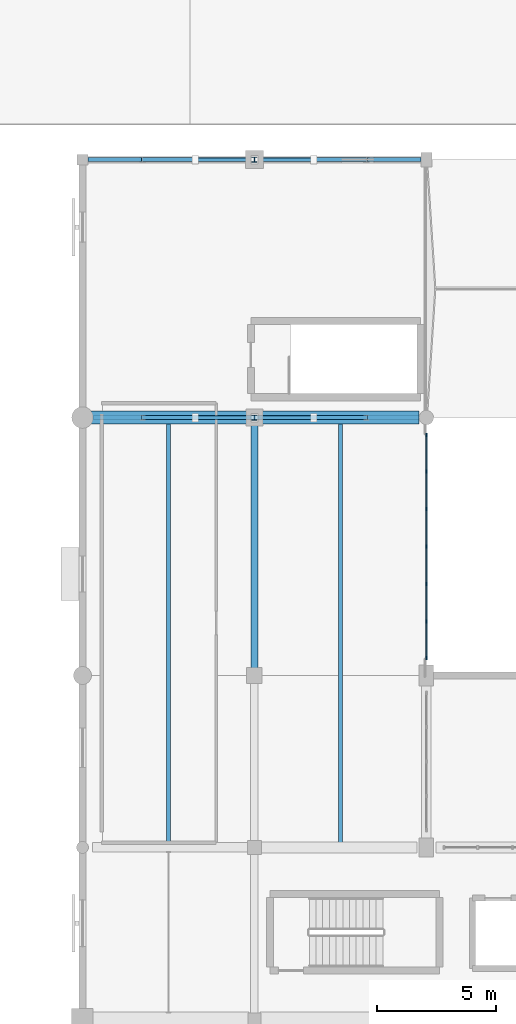
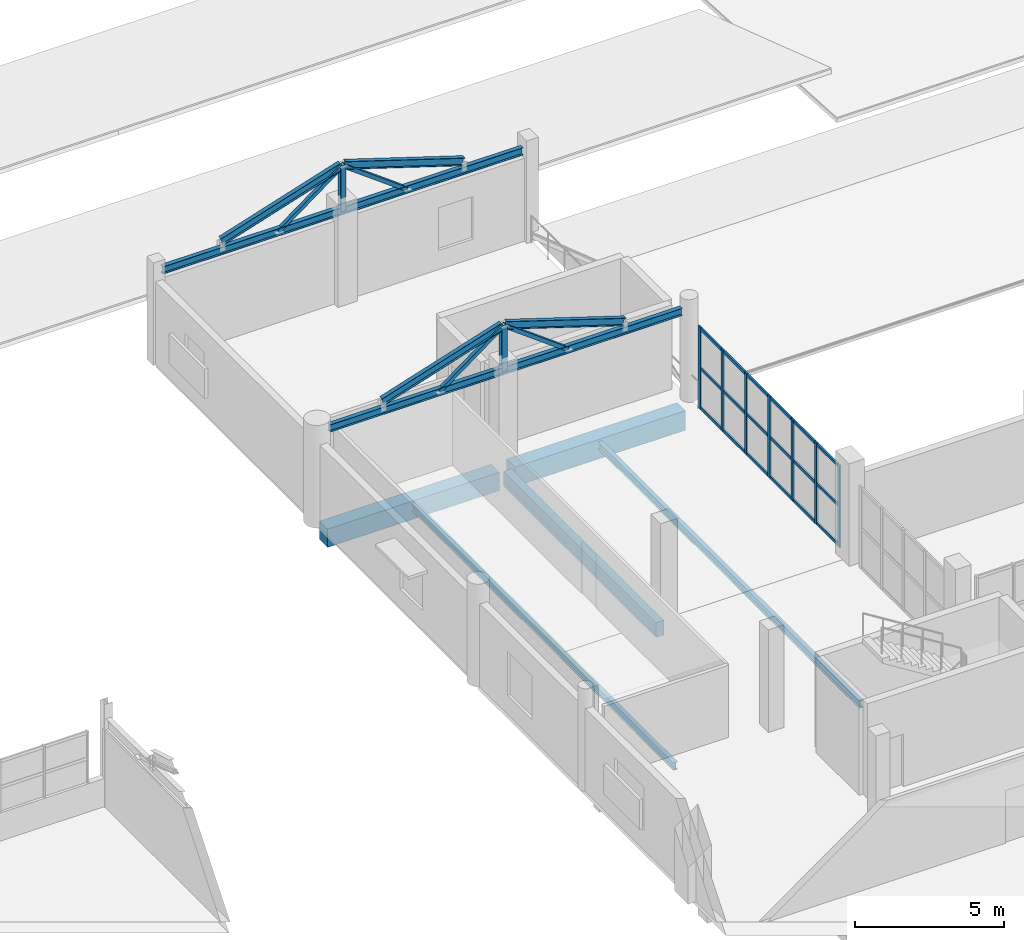
# One storey, part 27 of 90: 31 members, 11 beams, 1 element without a shape of its own.
"""IFC4 building model written with IfcOpenShell, lengths in metres."""

from ifc_helpers import new_model, si_unit, direction, frame, origin, origin_2d, place, context, subcontext, project, spatial, rectangle, hollow_rectangle, i_section, extrude, material, material_profile, profile_set, type_object, element, aggregate, save


model = new_model("IFC4")

# Units and contexts
model_context = context("Model", 3, precision=1e-05, world=origin(), true_north=direction((0.0, 1.0)))
body_context = subcontext(model_context, "Body", "Model", "MODEL_VIEW")
ifc_project = project(units=[si_unit("LENGTHUNIT", "METRE"), si_unit("AREAUNIT", "SQUARE_METRE"), si_unit("VOLUMEUNIT", "CUBIC_METRE"), si_unit("PLANEANGLEUNIT", "RADIAN"), si_unit("MASSUNIT", "GRAM", prefix="KILO")], contexts=[model_context])

# Site, building, storey
site_placement = place(None, origin())
site = spatial("IfcSite", under=ifc_project, at=site_placement, CompositionType="ELEMENT")
building_placement = place(site_placement, origin())
building = spatial("IfcBuilding", under=site, at=building_placement, Name="Solanera Park Tramway Depot", CompositionType="ELEMENT")
storey_placement = place(building_placement, frame((0.0, 0.0, 9.0)))
storey = spatial("IfcBuildingStorey", under=building, at=storey_placement, Name="L02", CompositionType="ELEMENT", Elevation=9.0)

# Curtain wall, members
ifc_material_1 = material(Name="Bronze-anodised thermally broken aluminium curtain wall", Category="aluminium")
curtain_wall_type = type_object("IfcCurtainWallType", Name="Courtyard Cloister Unitised Curtain Wall", PredefinedType="NOTDEFINED", material=ifc_material_1)
curtain_wall_placement = place(storey_placement, origin())
curtain_wall = element("IfcCurtainWall", 1, at=curtain_wall_placement, inside=storey, type_object=curtain_wall_type, Name="L02 Courtyard Cloister Unitised Curtain Wall #112", PredefinedType="NOTDEFINED")
ifc_material_2 = material(Name="Bronze-anodised structural aluminium 6063-T6", Category="aluminium")
ifc_material_profile_1 = material_profile(ifc_material_2, rectangle(XDim=0.06494140625, YDim=0.14990234375, at=origin_2d()), Name="Curtain Wall Mullion 65x150")
ifc_profile_set_1 = profile_set([ifc_material_profile_1], Name="Bronze-anodised structural aluminium 6063-T6")
member_type_1 = type_object("IfcMemberType", Name="Curtain Wall Mullion 65x150", PredefinedType="MULLION", material=ifc_profile_set_1)
member_1_placement = place(storey_placement, frame((122.39990234375, 33.132568359375, 0.0), z_axis=(0.0, 0.0, 1.0), x_axis=(1.0, 0.0, 0.0)))
member_1 = element("IfcMember", 2, at=member_1_placement, type_object=member_type_1, Name="CW-L02-112 Mullion 1", PredefinedType="MULLION", context=body_context, shape_type="SweptSolid", body=[
    extrude(rectangle(XDim=0.06494140625, YDim=0.14990234375, at=origin_2d()), origin(), (0.0, 0.0, 1.0), 3.35009765625),
])
member_2_placement = place(storey_placement, frame((122.39990234375, 34.666748046875, 0.0), z_axis=(0.0, 0.0, 1.0), x_axis=(1.0, 0.0, 0.0)))
member_2 = element("IfcMember", 3, at=member_2_placement, type_object=member_type_1, Name="CW-L02-112 Mullion 2", PredefinedType="MULLION", context=body_context, shape_type="SweptSolid", body=[
    extrude(rectangle(XDim=0.06494140625, YDim=0.14990234375, at=origin_2d()), origin(), (0.0, 0.0, 1.0), 3.35009765625),
])
member_3_placement = place(storey_placement, frame((122.39990234375, 36.2333984375, 0.0), z_axis=(0.0, 0.0, 1.0), x_axis=(1.0, 0.0, 0.0)))
member_3 = element("IfcMember", 4, at=member_3_placement, type_object=member_type_1, Name="CW-L02-112 Mullion 3", PredefinedType="MULLION", context=body_context, shape_type="SweptSolid", body=[
    extrude(rectangle(XDim=0.06494140625, YDim=0.14990234375, at=origin_2d()), origin(), (0.0, 0.0, 1.0), 3.35009765625),
])
member_4_placement = place(storey_placement, frame((122.39990234375, 37.800048828125, 0.0), z_axis=(0.0, 0.0, 1.0), x_axis=(1.0, 0.0, 0.0)))
member_4 = element("IfcMember", 5, at=member_4_placement, type_object=member_type_1, Name="CW-L02-112 Mullion 4", PredefinedType="MULLION", context=body_context, shape_type="SweptSolid", body=[
    extrude(rectangle(XDim=0.06494140625, YDim=0.14990234375, at=origin_2d()), origin(), (0.0, 0.0, 1.0), 3.35009765625),
])
member_5_placement = place(storey_placement, frame((122.39990234375, 39.36669921875, 0.0), z_axis=(0.0, 0.0, 1.0), x_axis=(1.0, 0.0, 0.0)))
member_5 = element("IfcMember", 6, at=member_5_placement, type_object=member_type_1, Name="CW-L02-112 Mullion 5", PredefinedType="MULLION", context=body_context, shape_type="SweptSolid", body=[
    extrude(rectangle(XDim=0.06494140625, YDim=0.14990234375, at=origin_2d()), origin(), (0.0, 0.0, 1.0), 3.35009765625),
])
member_6_placement = place(storey_placement, frame((122.39990234375, 40.933349609375, 0.0), z_axis=(0.0, 0.0, 1.0), x_axis=(1.0, 0.0, 0.0)))
member_6 = element("IfcMember", 7, at=member_6_placement, type_object=member_type_1, Name="CW-L02-112 Mullion 6", PredefinedType="MULLION", context=body_context, shape_type="SweptSolid", body=[
    extrude(rectangle(XDim=0.06494140625, YDim=0.14990234375, at=origin_2d()), origin(), (0.0, 0.0, 1.0), 3.35009765625),
])
member_7_placement = place(storey_placement, frame((122.39990234375, 42.467529296875, 0.0), z_axis=(0.0, 0.0, 1.0), x_axis=(1.0, 0.0, 0.0)))
member_7 = element("IfcMember", 8, at=member_7_placement, type_object=member_type_1, Name="CW-L02-112 Mullion 7", PredefinedType="MULLION", context=body_context, shape_type="SweptSolid", body=[
    extrude(rectangle(XDim=0.06494140625, YDim=0.14990234375, at=origin_2d()), origin(), (0.0, 0.0, 1.0), 3.35009765625),
])
ifc_material_3 = material(Name="Bronze-anodised structural aluminium 6063-T6", Category="aluminium")
ifc_material_profile_2 = material_profile(ifc_material_3, rectangle(XDim=0.06494140625, YDim=0.1201171875, at=origin_2d()), Name="Curtain Wall Transom 65x120")
ifc_profile_set_2 = profile_set([ifc_material_profile_2], Name="Bronze-anodised structural aluminium 6063-T6")
member_type_2 = type_object("IfcMemberType", Name="Curtain Wall Transom 65x120", PredefinedType="USERDEFINED", material=ifc_profile_set_2)
member_8_placement = place(storey_placement, frame((122.39990234375, 33.160400390625, 0.06005859375), z_axis=(0.0, 1.0, 0.0), x_axis=(-1.0, 0.0, 0.0)))
member_8 = element("IfcMember", 9, at=member_8_placement, type_object=member_type_2, Name="CW-L02-112 Transom R1.C1", ObjectType="TRANSOM", PredefinedType="USERDEFINED", context=body_context, shape_type="SweptSolid", body=[
    extrude(rectangle(XDim=0.06494140625, YDim=0.1201171875, at=origin_2d()), origin(), (0.0, 0.0, 1.0), 1.478271484375),
])
member_9_placement = place(storey_placement, frame((122.39990234375, 34.694580078125, 0.06005859375), z_axis=(0.0, 1.0, 0.0), x_axis=(-1.0, 0.0, 0.0)))
member_9 = element("IfcMember", 10, at=member_9_placement, type_object=member_type_2, Name="CW-L02-112 Transom R1.C2", ObjectType="TRANSOM", PredefinedType="USERDEFINED", context=body_context, shape_type="SweptSolid", body=[
    extrude(rectangle(XDim=0.06494140625, YDim=0.1201171875, at=origin_2d()), origin(), (0.0, 0.0, 1.0), 1.5107421875),
])
member_10_placement = place(storey_placement, frame((122.39990234375, 36.26123046875, 0.06005859375), z_axis=(0.0, 1.0, 0.0), x_axis=(-1.0, 0.0, 0.0)))
member_10 = element("IfcMember", 11, at=member_10_placement, type_object=member_type_2, Name="CW-L02-112 Transom R1.C3", ObjectType="TRANSOM", PredefinedType="USERDEFINED", context=body_context, shape_type="SweptSolid", body=[
    extrude(rectangle(XDim=0.06494140625, YDim=0.1201171875, at=origin_2d()), origin(), (0.0, 0.0, 1.0), 1.5107421875),
])
member_11_placement = place(storey_placement, frame((122.39990234375, 37.827880859375, 0.06005859375), z_axis=(0.0, 1.0, 0.0), x_axis=(-1.0, 0.0, 0.0)))
member_11 = element("IfcMember", 12, at=member_11_placement, type_object=member_type_2, Name="CW-L02-112 Transom R1.C4", ObjectType="TRANSOM", PredefinedType="USERDEFINED", context=body_context, shape_type="SweptSolid", body=[
    extrude(rectangle(XDim=0.06494140625, YDim=0.1201171875, at=origin_2d()), origin(), (0.0, 0.0, 1.0), 1.5107421875),
])
member_12_placement = place(storey_placement, frame((122.39990234375, 39.394775390625, 0.06005859375), z_axis=(0.0, 1.0, 0.0), x_axis=(-1.0, 0.0, 0.0)))
member_12 = element("IfcMember", 13, at=member_12_placement, type_object=member_type_2, Name="CW-L02-112 Transom R1.C5", ObjectType="TRANSOM", PredefinedType="USERDEFINED", context=body_context, shape_type="SweptSolid", body=[
    extrude(rectangle(XDim=0.06494140625, YDim=0.1201171875, at=origin_2d()), origin(), (0.0, 0.0, 1.0), 1.510498046875),
])
member_13_placement = place(storey_placement, frame((122.39990234375, 40.961181640625, 0.06005859375), z_axis=(0.0, 1.0, 0.0), x_axis=(-1.0, 0.0, 0.0)))
member_13 = element("IfcMember", 14, at=member_13_placement, type_object=member_type_2, Name="CW-L02-112 Transom R1.C6", ObjectType="TRANSOM", PredefinedType="USERDEFINED", context=body_context, shape_type="SweptSolid", body=[
    extrude(rectangle(XDim=0.06494140625, YDim=0.1201171875, at=origin_2d()), origin(), (0.0, 0.0, 1.0), 1.478271484375),
])
member_14_placement = place(storey_placement, frame((122.39990234375, 33.160400390625, 1.675048828125), z_axis=(0.0, 1.0, 0.0), x_axis=(-1.0, 0.0, 0.0)))
member_14 = element("IfcMember", 15, at=member_14_placement, type_object=member_type_2, Name="CW-L02-112 Transom R2.C1", ObjectType="TRANSOM", PredefinedType="USERDEFINED", context=body_context, shape_type="SweptSolid", body=[
    extrude(rectangle(XDim=0.06494140625, YDim=0.1201171875, at=origin_2d()), origin(), (0.0, 0.0, 1.0), 1.478271484375),
])
member_15_placement = place(storey_placement, frame((122.39990234375, 34.694580078125, 1.675048828125), z_axis=(0.0, 1.0, 0.0), x_axis=(-1.0, 0.0, 0.0)))
member_15 = element("IfcMember", 16, at=member_15_placement, type_object=member_type_2, Name="CW-L02-112 Transom R2.C2", ObjectType="TRANSOM", PredefinedType="USERDEFINED", context=body_context, shape_type="SweptSolid", body=[
    extrude(rectangle(XDim=0.06494140625, YDim=0.1201171875, at=origin_2d()), origin(), (0.0, 0.0, 1.0), 1.5107421875),
])
member_16_placement = place(storey_placement, frame((122.39990234375, 36.26123046875, 1.675048828125), z_axis=(0.0, 1.0, 0.0), x_axis=(-1.0, 0.0, 0.0)))
member_16 = element("IfcMember", 17, at=member_16_placement, type_object=member_type_2, Name="CW-L02-112 Transom R2.C3", ObjectType="TRANSOM", PredefinedType="USERDEFINED", context=body_context, shape_type="SweptSolid", body=[
    extrude(rectangle(XDim=0.06494140625, YDim=0.1201171875, at=origin_2d()), origin(), (0.0, 0.0, 1.0), 1.5107421875),
])
member_17_placement = place(storey_placement, frame((122.39990234375, 37.827880859375, 1.675048828125), z_axis=(0.0, 1.0, 0.0), x_axis=(-1.0, 0.0, 0.0)))
member_17 = element("IfcMember", 18, at=member_17_placement, type_object=member_type_2, Name="CW-L02-112 Transom R2.C4", ObjectType="TRANSOM", PredefinedType="USERDEFINED", context=body_context, shape_type="SweptSolid", body=[
    extrude(rectangle(XDim=0.06494140625, YDim=0.1201171875, at=origin_2d()), origin(), (0.0, 0.0, 1.0), 1.5107421875),
])
member_18_placement = place(storey_placement, frame((122.39990234375, 39.394775390625, 1.675048828125), z_axis=(0.0, 1.0, 0.0), x_axis=(-1.0, 0.0, 0.0)))
member_18 = element("IfcMember", 19, at=member_18_placement, type_object=member_type_2, Name="CW-L02-112 Transom R2.C5", ObjectType="TRANSOM", PredefinedType="USERDEFINED", context=body_context, shape_type="SweptSolid", body=[
    extrude(rectangle(XDim=0.06494140625, YDim=0.1201171875, at=origin_2d()), origin(), (0.0, 0.0, 1.0), 1.510498046875),
])
member_19_placement = place(storey_placement, frame((122.39990234375, 40.961181640625, 1.675048828125), z_axis=(0.0, 1.0, 0.0), x_axis=(-1.0, 0.0, 0.0)))
member_19 = element("IfcMember", 20, at=member_19_placement, type_object=member_type_2, Name="CW-L02-112 Transom R2.C6", ObjectType="TRANSOM", PredefinedType="USERDEFINED", context=body_context, shape_type="SweptSolid", body=[
    extrude(rectangle(XDim=0.06494140625, YDim=0.1201171875, at=origin_2d()), origin(), (0.0, 0.0, 1.0), 1.478271484375),
])
member_20_placement = place(storey_placement, frame((122.39990234375, 33.160400390625, 3.2900390625), z_axis=(0.0, 1.0, 0.0), x_axis=(-1.0, 0.0, 0.0)))
member_20 = element("IfcMember", 21, at=member_20_placement, type_object=member_type_2, Name="CW-L02-112 Transom R3.C1", ObjectType="TRANSOM", PredefinedType="USERDEFINED", context=body_context, shape_type="SweptSolid", body=[
    extrude(rectangle(XDim=0.06494140625, YDim=0.1201171875, at=origin_2d()), origin(), (0.0, 0.0, 1.0), 1.478271484375),
])
member_21_placement = place(storey_placement, frame((122.39990234375, 34.694580078125, 3.2900390625), z_axis=(0.0, 1.0, 0.0), x_axis=(-1.0, 0.0, 0.0)))
member_21 = element("IfcMember", 22, at=member_21_placement, type_object=member_type_2, Name="CW-L02-112 Transom R3.C2", ObjectType="TRANSOM", PredefinedType="USERDEFINED", context=body_context, shape_type="SweptSolid", body=[
    extrude(rectangle(XDim=0.06494140625, YDim=0.1201171875, at=origin_2d()), origin(), (0.0, 0.0, 1.0), 1.5107421875),
])
member_22_placement = place(storey_placement, frame((122.39990234375, 36.26123046875, 3.2900390625), z_axis=(0.0, 1.0, 0.0), x_axis=(-1.0, 0.0, 0.0)))
member_22 = element("IfcMember", 23, at=member_22_placement, type_object=member_type_2, Name="CW-L02-112 Transom R3.C3", ObjectType="TRANSOM", PredefinedType="USERDEFINED", context=body_context, shape_type="SweptSolid", body=[
    extrude(rectangle(XDim=0.06494140625, YDim=0.1201171875, at=origin_2d()), origin(), (0.0, 0.0, 1.0), 1.5107421875),
])
member_23_placement = place(storey_placement, frame((122.39990234375, 37.827880859375, 3.2900390625), z_axis=(0.0, 1.0, 0.0), x_axis=(-1.0, 0.0, 0.0)))
member_23 = element("IfcMember", 24, at=member_23_placement, type_object=member_type_2, Name="CW-L02-112 Transom R3.C4", ObjectType="TRANSOM", PredefinedType="USERDEFINED", context=body_context, shape_type="SweptSolid", body=[
    extrude(rectangle(XDim=0.06494140625, YDim=0.1201171875, at=origin_2d()), origin(), (0.0, 0.0, 1.0), 1.5107421875),
])
member_24_placement = place(storey_placement, frame((122.39990234375, 39.394775390625, 3.2900390625), z_axis=(0.0, 1.0, 0.0), x_axis=(-1.0, 0.0, 0.0)))
member_24 = element("IfcMember", 25, at=member_24_placement, type_object=member_type_2, Name="CW-L02-112 Transom R3.C5", ObjectType="TRANSOM", PredefinedType="USERDEFINED", context=body_context, shape_type="SweptSolid", body=[
    extrude(rectangle(XDim=0.06494140625, YDim=0.1201171875, at=origin_2d()), origin(), (0.0, 0.0, 1.0), 1.510498046875),
])
member_25_placement = place(storey_placement, frame((122.39990234375, 40.961181640625, 3.2900390625), z_axis=(0.0, 1.0, 0.0), x_axis=(-1.0, 0.0, 0.0)))
member_25 = element("IfcMember", 26, at=member_25_placement, type_object=member_type_2, Name="CW-L02-112 Transom R3.C6", ObjectType="TRANSOM", PredefinedType="USERDEFINED", context=body_context, shape_type="SweptSolid", body=[
    extrude(rectangle(XDim=0.06494140625, YDim=0.1201171875, at=origin_2d()), origin(), (0.0, 0.0, 1.0), 1.478271484375),
])
aggregate(curtain_wall, [member_1, member_2, member_3, member_4, member_5, member_6, member_7, member_8, member_9, member_10, member_11, member_12, member_13, member_14, member_15, member_16, member_17, member_18, member_19, member_20, member_21, member_22, member_23, member_24, member_25])

# Beams
ifc_material_4 = material(Name="Concrete N40 (C40/50)", Category="concrete")
ifc_material_profile_3 = material_profile(ifc_material_4, rectangle(XDim=0.300048828125, YDim=0.60009765625, at=origin_2d()), Name="RCB 300x600")
ifc_profile_set_3 = profile_set([ifc_material_profile_3], Name="Concrete N40 (C40/50)")
beam_type_1 = type_object("IfcBeamType", Name="RC Floor Beam RCB 300x600", PredefinedType="BEAM", material=ifc_profile_set_3)
beam_1_placement = place(storey_placement, frame((115.199951171875, 32.675048828125, -0.5791015625), z_axis=(0.0, 1.0, 0.0), x_axis=(-1.0, 0.0, 0.0)))
element("IfcBeam", 27, at=beam_1_placement, inside=storey, type_object=beam_type_1, Name="L02 Primary Y-Girder RCB 300x600 #0144", PredefinedType="BEAM", context=body_context, shape_type="SweptSolid", body=[
    extrude(rectangle(XDim=0.300048828125, YDim=0.60009765625, at=origin_2d()), origin(), (0.0, 0.0, 1.0), 10.224853515625),
])
ifc_material_5 = material(Name="Concrete N40 (C40/50)", Category="concrete")
ifc_material_profile_4 = material_profile(ifc_material_5, rectangle(XDim=0.550048828125, YDim=0.75, at=origin_2d()), Name="RCB 550x750")
ifc_profile_set_4 = profile_set([ifc_material_profile_4], Name="Concrete N40 (C40/50)")
beam_type_2 = type_object("IfcBeamType", Name="RC Floor Beam RCB 550x750", PredefinedType="BEAM", material=ifc_profile_set_4)
beam_2_placement = place(storey_placement, frame((108.25, 43.199951171875, -0.654052734375), z_axis=(1.0, 0.0, 0.0), x_axis=(0.0, 1.0, 0.0)))
element("IfcBeam", 28, at=beam_2_placement, inside=storey, type_object=beam_type_2, Name="L02 Primary X-Girder RCB 550x750 #0131", PredefinedType="BEAM", context=body_context, shape_type="SweptSolid", body=[
    extrude(rectangle(XDim=0.550048828125, YDim=0.75, at=origin_2d()), origin(), (0.0, 0.0, 1.0), 6.64990234375),
])
ifc_material_6 = material(Name="Concrete N40 (C40/50)", Category="concrete")
ifc_material_profile_5 = material_profile(ifc_material_6, rectangle(XDim=0.550048828125, YDim=0.800048828125, at=origin_2d()), Name="RCB 550x800")
ifc_profile_set_5 = profile_set([ifc_material_profile_5], Name="Concrete N40 (C40/50)")
beam_type_3 = type_object("IfcBeamType", Name="RC Floor Beam RCB 550x800", PredefinedType="BEAM", material=ifc_profile_set_5)
beam_3_placement = place(storey_placement, frame((115.5, 43.199951171875, -0.678955078125), z_axis=(1.0, 0.0, 0.0), x_axis=(0.0, 1.0, 0.0)))
element("IfcBeam", 29, at=beam_3_placement, inside=storey, type_object=beam_type_3, Name="L02 Primary X-Girder RCB 550x800 #0132", PredefinedType="BEAM", context=body_context, shape_type="SweptSolid", body=[
    extrude(rectangle(XDim=0.550048828125, YDim=0.800048828125, at=origin_2d()), origin(), (0.0, 0.0, 1.0), 6.60009765625),
])

# Members
ifc_material_7 = material(Name="Steel AS/NZS 3679.1 Grade 350", Category="steel")
ifc_material_profile_6 = material_profile(ifc_material_7, i_section(OverallWidth=0.205078125, OverallDepth=0.209716796875, WebThickness=0.00927734375, FlangeThickness=0.01416015625, at=origin_2d()), Name="200UC59.5")
ifc_profile_set_6 = profile_set([ifc_material_profile_6], Name="Steel AS/NZS 3679.1 Grade 350")
member_type_3 = type_object("IfcMemberType", Name="Roof Gantry Compression Strut 200UC59.5", PredefinedType="STRUT", material=ifc_profile_set_6)
for number, where, z_axis, x_axis, name in (
    (30, (115.199951171875, 43.199951171875, 3.648193359375), (0.0, 0.0, 1.0), (1.0, 0.0, 0.0), "Hip ROOF TRUSS King Post #0148"),
    (31, (115.199951171875, 54.0, 3.646484375), (0.0, 0.0, 1.0), (1.0, 0.0, 0.0), "Hip ROOF TRUSS King Post #0151"),
):
    element("IfcMember", number, at=place(storey_placement, frame(where, z_axis=z_axis, x_axis=x_axis)), inside=storey, type_object=member_type_3, Name=name, PredefinedType="STRUT", context=body_context, shape_type="SweptSolid", body=[
        extrude(i_section(OverallWidth=0.205078125, OverallDepth=0.209716796875, WebThickness=0.00927734375, FlangeThickness=0.01416015625, at=origin_2d()), origin(), (0.0, 0.0, 1.0), 1.8359375),
    ])

# Beams
ifc_material_8 = material(Name="Steel AS/NZS 3679.1 Grade 350", Category="steel")
ifc_material_profile_7 = material_profile(ifc_material_8, i_section(OverallWidth=0.1650390625, OverallDepth=0.3037109375, WebThickness=0.006103515625, FlangeThickness=0.01025390625, at=origin_2d()), Name="310UB40.4")
ifc_profile_set_7 = profile_set([ifc_material_profile_7], Name="Steel AS/NZS 3679.1 Grade 350")
beam_type_4 = type_object("IfcBeamType", Name="Steel Beam 310UB40.4", PredefinedType="BEAM", material=ifc_profile_set_7)
beam_4_placement = place(storey_placement, frame((108.449951171875, 43.199951171875, 3.648193359375), z_axis=(1.0, 0.0, 0.0), x_axis=(0.0, 1.0, 0.0)))
element("IfcBeam", 32, at=beam_4_placement, inside=storey, type_object=beam_type_4, Name="L02 Hip ROOF TRUSS Tie 310UB40.4 #1089", PredefinedType="BEAM", context=body_context, shape_type="SweptSolid", body=[
    extrude(i_section(OverallWidth=0.1650390625, OverallDepth=0.3037109375, WebThickness=0.006103515625, FlangeThickness=0.01025390625, at=origin_2d()), origin(), (0.0, 0.0, 1.0), 13.650146484375),
])
for number, where, z_axis, x_axis, name in (
    (33, (110.52001953125, 43.199951171875, 4.011962890625), (0.952794097208, 0.0, 0.3036172069), (0.0, 1.0, 0.0), "L02 Hip ROOF TRUSS Rafter 310UB40.4 #1090"),
    (34, (115.260009765625, 43.199951171875, 5.484130859375), (0.952794097208, 0.0, -0.3036172069), (0.0, 1.0, 0.0), "L02 Hip ROOF TRUSS Rafter 310UB40.4 #1091"),
):
    element("IfcBeam", number, at=place(storey_placement, frame(where, z_axis=z_axis, x_axis=x_axis)), inside=storey, type_object=beam_type_4, Name=name, PredefinedType="BEAM", context=body_context, shape_type="SweptSolid", body=[
        extrude(i_section(OverallWidth=0.1650390625, OverallDepth=0.3037109375, WebThickness=0.006103515625, FlangeThickness=0.01025390625, at=origin_2d()), origin(), (0.0, 0.0, 1.0), 4.848876953125),
    ])
ifc_material_9 = material(Name="Steel AS/NZS 3679.1 Grade 350", Category="steel")
ifc_material_profile_8 = material_profile(ifc_material_9, i_section(OverallWidth=0.166015625, OverallDepth=0.30712890625, WebThickness=0.006591796875, FlangeThickness=0.01171875, at=origin_2d()), Name="310UB46.2")
ifc_profile_set_8 = profile_set([ifc_material_profile_8], Name="Steel AS/NZS 3679.1 Grade 350")
beam_type_5 = type_object("IfcBeamType", Name="Steel Beam 310UB46.2", PredefinedType="BEAM", material=ifc_profile_set_8)
beam_5_placement = place(storey_placement, frame((108.22509765625, 54.0, 3.646484375), z_axis=(1.0, 0.0, 0.0), x_axis=(0.0, 1.0, 0.0)))
element("IfcBeam", 35, at=beam_5_placement, inside=storey, type_object=beam_type_5, Name="L02 Hip ROOF TRUSS Tie 310UB46.2 #1092", PredefinedType="BEAM", context=body_context, shape_type="SweptSolid", body=[
    extrude(i_section(OverallWidth=0.166015625, OverallDepth=0.30712890625, WebThickness=0.006591796875, FlangeThickness=0.01171875, at=origin_2d()), origin(), (0.0, 0.0, 1.0), 13.949951171875),
])
for number, where, z_axis, x_axis, name in (
    (36, (110.52001953125, 54.0, 4.013671875), (0.952997847098, 0.0, 0.302977067492), (0.0, 1.0, 0.0), "L02 Hip ROOF TRUSS Rafter 310UB46.2 #1093"),
    (37, (115.260009765625, 54.0, 5.482421875), (0.952997847098, 0.0, -0.302977067492), (0.0, 1.0, 0.0), "L02 Hip ROOF TRUSS Rafter 310UB46.2 #1094"),
):
    element("IfcBeam", number, at=place(storey_placement, frame(where, z_axis=z_axis, x_axis=x_axis)), inside=storey, type_object=beam_type_5, Name=name, PredefinedType="BEAM", context=body_context, shape_type="SweptSolid", body=[
        extrude(i_section(OverallWidth=0.166015625, OverallDepth=0.30712890625, WebThickness=0.006591796875, FlangeThickness=0.01171875, at=origin_2d()), origin(), (0.0, 0.0, 1.0), 4.84765625),
    ])
ifc_material_10 = material(Name="Steel AS/NZS 3679.1 Grade 350", Category="steel")
ifc_material_profile_9 = material_profile(ifc_material_10, i_section(OverallWidth=0.1650390625, OverallDepth=0.3037109375, WebThickness=0.006103515625, FlangeThickness=0.01025390625, at=origin_2d()), Name="310UB40.4")
ifc_profile_set_9 = profile_set([ifc_material_profile_9], Name="Steel AS/NZS 3679.1 Grade 350")
beam_type_6 = type_object("IfcBeamType", Name="Steel Joist Purlin 310UB40.4", PredefinedType="JOIST", material=ifc_profile_set_9)
beam_6_placement = place(storey_placement, frame((111.60009765625, 25.39208984375, -0.515869140625), z_axis=(0.0, 1.0, 0.0), x_axis=(-1.0, 0.0, 0.0)))
element("IfcBeam", 38, at=beam_6_placement, inside=storey, type_object=beam_type_6, Name="L02 Secondary Floor Joist 310UB40.4 #0187", PredefinedType="JOIST", context=body_context, shape_type="SweptSolid", body=[
    extrude(i_section(OverallWidth=0.1650390625, OverallDepth=0.3037109375, WebThickness=0.006103515625, FlangeThickness=0.01025390625, at=origin_2d()), origin(), (0.0, 0.0, 1.0), 17.541015625),
])
beam_7_placement = place(storey_placement, frame((118.800048828125, 25.4169921875, -0.515869140625), z_axis=(0.0, 1.0, 0.0), x_axis=(-1.0, 0.0, 0.0)))
element("IfcBeam", 39, at=beam_7_placement, inside=storey, type_object=beam_type_6, Name="L02 Secondary Floor Joist 310UB40.4 #0188", PredefinedType="JOIST", context=body_context, shape_type="SweptSolid", body=[
    extrude(i_section(OverallWidth=0.1650390625, OverallDepth=0.3037109375, WebThickness=0.006103515625, FlangeThickness=0.01025390625, at=origin_2d()), origin(), (0.0, 0.0, 1.0), 17.51611328125),
])

# Members
ifc_material_11 = material(Name="Steel AS/NZS 1163 Grade C350L0", Category="steel")
ifc_material_profile_10 = material_profile(ifc_material_11, hollow_rectangle(XDim=0.14990234375, YDim=0.14990234375, WallThickness=0.006103515625, at=origin_2d()), Name="150x150x6.0 SHS")
ifc_profile_set_10 = profile_set([ifc_material_profile_10], Name="Steel AS/NZS 1163 Grade C350L0")
member_type_4 = type_object("IfcMemberType", Name="Truss and Frame Brace 150x150x6.0 SHS", PredefinedType="BRACE", material=ifc_profile_set_10)
for number, where, z_axis, x_axis, name in (
    (40, (112.719970703125, 43.199951171875, 3.648193359375), (0.803725357689, 0.0, 0.595000461687), (0.0, 1.0, 0.0), "Hip ROOF TRUSS Web #0467"),
    (41, (117.679931640625, 43.199951171875, 3.648193359375), (-0.803725357689, 0.0, 0.595000461687), (0.0, -1.0, 0.0), "Hip ROOF TRUSS Web #0468"),
    (42, (112.719970703125, 54.0, 3.646484375), (0.803725357689, 0.0, 0.595000461687), (0.0, 1.0, 0.0), "Hip ROOF TRUSS Web #0469"),
    (43, (117.679931640625, 54.0, 3.646484375), (-0.803725357689, 0.0, 0.595000461687), (0.0, -1.0, 0.0), "Hip ROOF TRUSS Web #0470"),
):
    element("IfcMember", number, at=place(storey_placement, frame(where, z_axis=z_axis, x_axis=x_axis)), inside=storey, type_object=member_type_4, Name=name, PredefinedType="BRACE", context=body_context, shape_type="SweptSolid", body=[
        extrude(hollow_rectangle(XDim=0.14990234375, YDim=0.14990234375, WallThickness=0.006103515625, at=origin_2d()), origin(), (0.0, 0.0, 1.0), 3.085693359375),
    ])

save(model, "model.ifc")
